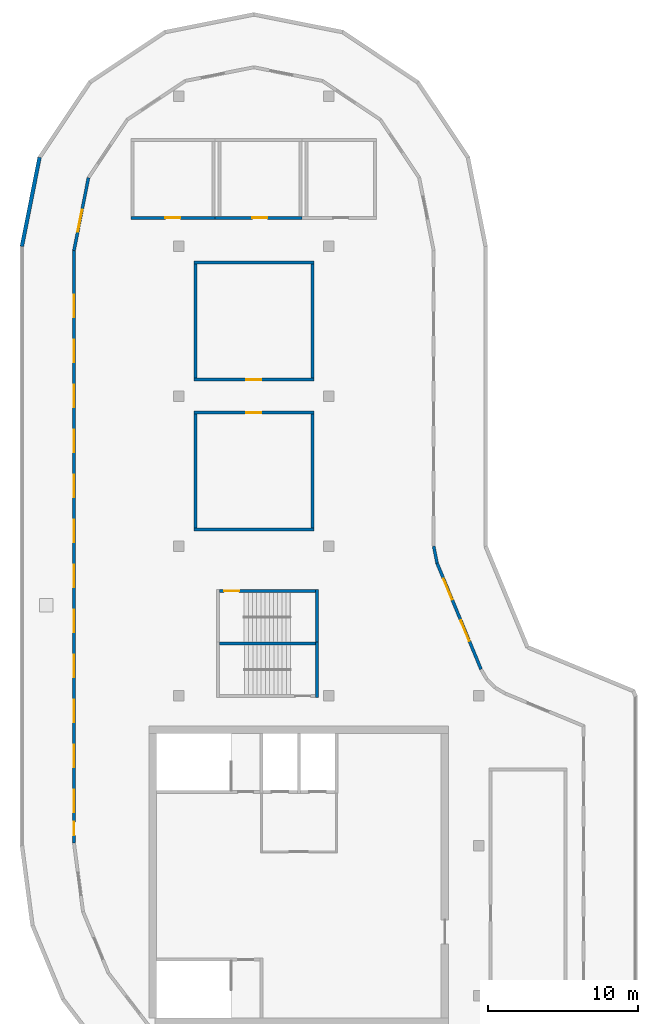
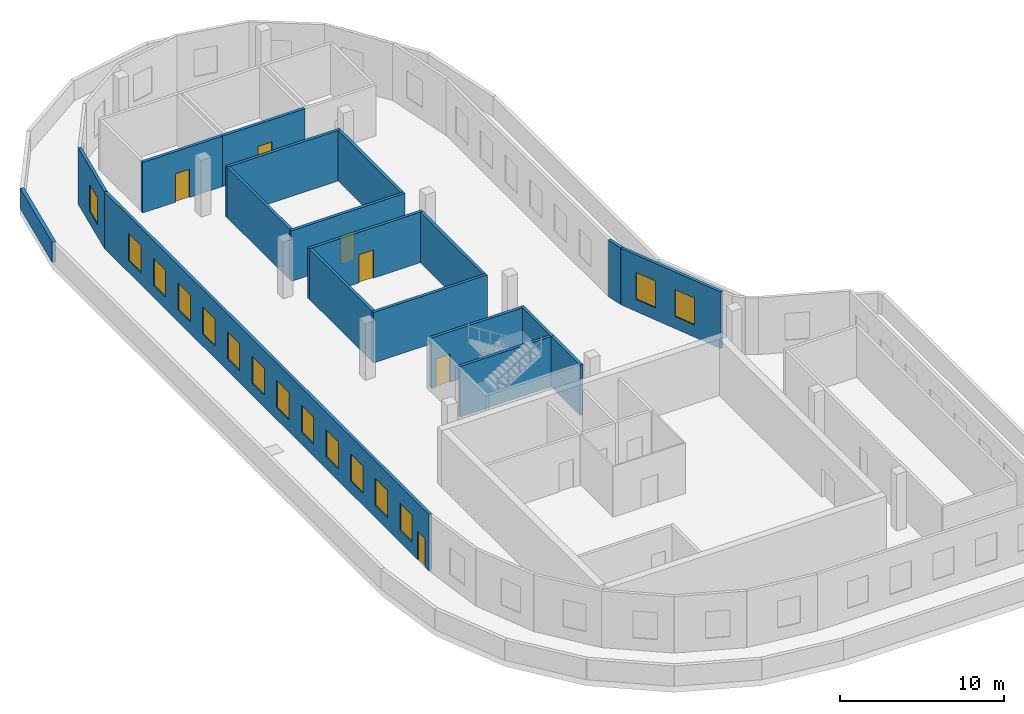
# One storey, part 3 of 6: 19 walls, 15 windows, 6 doors, 21 openings.
"""IFC4 building model written with IfcOpenShell, lengths in metres."""

import ifcopenshell
import ifcopenshell.guid

model = None  # the IFC model being written
_history = None  # IfcOwnerHistory: only IFC2X3 demands one
_inside = {}  # id of a spatial element -> (the spatial element, [elements in it])
_under = {}  # id of a project, library or spatial element -> (it, [spatial elements below it])
_declared = {}  # id of a project -> (the project, [libraries it declares])
_typed = {}  # id of a type object -> (the type object, [elements of that type])
_made_of = {}  # id of a material, layer set ... -> (it, [elements and type objects made of it])


def new_model(schema):
    """Start an empty IFC model of exactly this schema.

    Asked for "IFC4X3", IfcOpenShell would pick the latest addendum, in which some entities
    have other attributes; the version numbers below select the first issue.
    IFC2X3 requires an IfcOwnerHistory on every rooted entity: one is made here for all.
    """
    global model, _history
    if schema == "IFC4X3":
        model = ifcopenshell.file(schema_version=(4, 3, 0, 0))
    else:
        model = ifcopenshell.file(schema=schema)
    _inside.clear()
    _under.clear()
    _declared.clear()
    _typed.clear()
    _made_of.clear()
    _history = None
    if model.schema == "IFC2X3":
        org = make("IfcOrganization", Name="unknown")
        user = make(
            "IfcPersonAndOrganization",
            ThePerson=make("IfcPerson", FamilyName="unknown"),
            TheOrganization=org,
        )
        app = make(
            "IfcApplication",
            ApplicationDeveloper=org,
            Version="unknown",
            ApplicationFullName="unknown",
            ApplicationIdentifier="unknown",
        )
        _history = make(
            "IfcOwnerHistory",
            OwningUser=user,
            OwningApplication=app,
            ChangeAction="ADDED",
            CreationDate=0,
        )
    return model


def make(cls, **values):
    """One entity of the class cls with the attributes given. An attribute that is None is left unset."""
    return model.create_entity(
        cls, **{name: value for name, value in values.items() if value is not None}
    )


def rooted(cls, **values):
    """An entity with a GlobalId (a new one), such as an element, a storey or a relation."""
    return make(cls, GlobalId=ifcopenshell.guid.new(), OwnerHistory=_history, **values)


def si_unit(unit_type, name, prefix=None):
    """IfcSIUnit, for example si_unit("LENGTHUNIT", "METRE", prefix="MILLI")."""
    return make("IfcSIUnit", UnitType=unit_type, Prefix=prefix, Name=name)


def assignment(units):
    """IfcUnitAssignment: the units of a project."""
    return None if units is None else make("IfcUnitAssignment", Units=units)


def point(xyz):
    """IfcCartesianPoint."""
    return None if xyz is None else make("IfcCartesianPoint", Coordinates=xyz)


def direction(xyz):
    """IfcDirection."""
    return None if xyz is None else make("IfcDirection", DirectionRatios=xyz)


def frame(location, z_axis=None, x_axis=None):
    """IfcAxis2Placement3D, a coordinate frame: its origin and axes. An axis left out is left unset."""
    return make(
        "IfcAxis2Placement3D",
        Location=point(location),
        Axis=direction(z_axis),
        RefDirection=direction(x_axis),
    )


def frame_2d(location, x_axis=None):
    """IfcAxis2Placement2D, a coordinate frame in the plane: its origin and x axis."""
    return make(
        "IfcAxis2Placement2D", Location=point(location), RefDirection=direction(x_axis)
    )


def origin():
    """The frame at (0, 0, 0) with its axes left unset."""
    return frame((0.0, 0.0, 0.0))


def place(relative_to, where):
    """IfcLocalPlacement: puts the frame where relative to a parent placement (None: the world)."""
    return make(
        "IfcLocalPlacement", PlacementRelTo=relative_to, RelativePlacement=where
    )


def context(
    kind, dimensions, precision=None, world=None, true_north=None, identifier=None
):
    """IfcGeometricRepresentationContext, for example the 3D "Model" context."""
    return make(
        "IfcGeometricRepresentationContext",
        ContextIdentifier=identifier,
        ContextType=kind,
        CoordinateSpaceDimension=dimensions,
        Precision=precision,
        WorldCoordinateSystem=world,
        TrueNorth=true_north,
    )


def subcontext(parent, identifier, kind, view, scale=None):
    """IfcGeometricRepresentationSubContext, for example "Body" below "Model"."""
    return make(
        "IfcGeometricRepresentationSubContext",
        ContextIdentifier=identifier,
        ContextType=kind,
        ParentContext=parent,
        TargetScale=scale,
        TargetView=view,
    )


def project(units=None, contexts=None):
    """IfcProject with its units and contexts."""
    return rooted(
        "IfcProject",
        Name="project",
        RepresentationContexts=contexts,
        UnitsInContext=assignment(units),
    )


def spatial(cls, under=None, at=None, **own):
    """A site, building, storey or space (cls), placed at a placement, below another one or the project."""
    s = rooted(cls, ObjectPlacement=at, **own)
    if under is not None:
        _under.setdefault(under.id(), (under, []))[1].append(s)
    return s


def profile(cls, at=None, kind="AREA", **sizes):
    """A parametric profile (cls). Its sizes go by their IFC names, for example OverallWidth=200.0."""
    return make(cls, ProfileType=kind, Position=at, **sizes)


def rectangle(**sizes):
    """IfcRectangleProfileDef."""
    return profile("IfcRectangleProfileDef", **sizes)


def extrude(swept, where, along, depth):
    """IfcExtrudedAreaSolid: the profile swept, set in the frame where, extruded along a direction by depth."""
    return make(
        "IfcExtrudedAreaSolid",
        SweptArea=swept,
        Position=where,
        ExtrudedDirection=direction(along),
        Depth=depth,
    )


def shape(context_of_items, identifier, shape_type, items):
    """IfcShapeRepresentation: the items that make up one representation, for example the "Body"."""
    return make(
        "IfcShapeRepresentation",
        ContextOfItems=context_of_items,
        RepresentationIdentifier=identifier,
        RepresentationType=shape_type,
        Items=items,
    )


def material(Name=None, Category=None):
    """IfcMaterial."""
    return make("IfcMaterial", Name=Name, Category=Category)


def layer(
    of_material, thickness, ventilated=None, Name=None, Category=None, Priority=None
):
    """IfcMaterialLayer: one layer of a wall or slab, of a material (None: an air gap)."""
    return make(
        "IfcMaterialLayer",
        Material=of_material,
        LayerThickness=thickness,
        IsVentilated=ventilated,
        Name=Name,
        Category=Category,
        Priority=Priority,
    )


def layer_set(layers, Name=None):
    """IfcMaterialLayerSet."""
    return make("IfcMaterialLayerSet", MaterialLayers=layers, LayerSetName=Name)


def made_of(thing, what):
    """Note that an element or type object is made of a material, layer set ...; save() writes the relation."""
    if what is not None:
        _made_of.setdefault(what.id(), (what, []))[1].append(thing)
    return thing


def type_object(cls, material=None, **own):
    """A type object (cls), such as IfcWallType, which elements share."""
    return made_of(rooted(cls, **own), material)


def element(
    cls,
    number,
    at=None,
    inside=None,
    cuts=None,
    type_object=None,
    material=None,
    context=None,
    identifier="Body",
    shape_type=None,
    held_by="IfcProductDefinitionShape",
    body=None,
    shapes=None,
    **own,
):
    """One element of the class cls, such as IfcWall. Its Tag is "e" and its number.

    at: its placement. inside: the storey or other place that contains it. cuts: it is an
    opening in that element (IfcRelVoidsElement). A single representation is given by context,
    identifier, shape_type and body (its items); several are given by shapes. held_by: the class
    of the entity that holds the representations. save() writes the other relations.
    """
    e = rooted(cls, Tag="e%d" % number, ObjectPlacement=at, **own)
    if body is not None:
        shapes = [shape(context, identifier, shape_type, body)]
    if shapes is not None:
        e.Representation = make(held_by, Representations=shapes)
    if inside is not None:
        _inside.setdefault(inside.id(), (inside, []))[1].append(e)
    if cuts is not None:
        rooted(
            "IfcRelVoidsElement", RelatingBuildingElement=cuts, RelatedOpeningElement=e
        )
    if type_object is not None:
        _typed.setdefault(type_object.id(), (type_object, []))[1].append(e)
    return made_of(e, material)


def fill(opening, filler):
    """IfcRelFillsElement: the door or window that sits in an opening."""
    return rooted(
        "IfcRelFillsElement",
        RelatingOpeningElement=opening,
        RelatedBuildingElement=filler,
    )


def aggregate(whole, parts):
    """IfcRelAggregates: a whole, such as a stair, and the parts it consists of."""
    return rooted("IfcRelAggregates", RelatingObject=whole, RelatedObjects=parts)


def save(model, path):
    """Write the relations noted so far, then the file.

    IfcRelAggregates (storeys below a building ...), IfcRelContainedInSpatialStructure (elements
    in a storey), IfcRelDefinesByType, IfcRelAssociatesMaterial and IfcRelDeclares: one each for
    every whole, place, type object, material and project.
    """
    for whole, parts in _under.values():
        aggregate(whole, parts)
    for where, things in _inside.values():
        rooted(
            "IfcRelContainedInSpatialStructure",
            RelatedElements=things,
            RelatingStructure=where,
        )
    for kind, things in _typed.values():
        rooted("IfcRelDefinesByType", RelatedObjects=things, RelatingType=kind)
    for what, things in _made_of.values():
        rooted("IfcRelAssociatesMaterial", RelatedObjects=things, RelatingMaterial=what)
    for by, libraries in _declared.values():
        rooted("IfcRelDeclares", RelatingContext=by, RelatedDefinitions=libraries)
    model.write(path)


model = new_model("IFC4")

# Units and contexts
model_context = context("Model", 3, precision=1e-05, world=origin(), true_north=direction((0.0, 1.0)))
body_context = subcontext(model_context, "Body", "Model", "MODEL_VIEW")
ifc_project = project(units=[si_unit("LENGTHUNIT", "METRE"), si_unit("AREAUNIT", "SQUARE_METRE"), si_unit("VOLUMEUNIT", "CUBIC_METRE"), si_unit("PLANEANGLEUNIT", "RADIAN"), si_unit("MASSUNIT", "GRAM", prefix="KILO")], contexts=[model_context])

# Site, building, storey
site_placement = place(None, origin())
site = spatial("IfcSite", under=ifc_project, at=site_placement, CompositionType="ELEMENT")
building_placement = place(site_placement, origin())
building = spatial("IfcBuilding", under=site, at=building_placement, Name="Qaws Garden Tower", CompositionType="ELEMENT")
storey_placement = place(building_placement, frame((0.0, 0.0, 365.39990234375)))
storey = spatial("IfcBuildingStorey", under=building, at=storey_placement, Name="C1", CompositionType="ELEMENT", Elevation=365.39990234375)

# Walls
ifc_material_1 = material(Name="Concrete C60", Category="concrete")
ifc_layer_1 = layer(ifc_material_1, 0.199951171875)
ifc_layer_set_1 = layer_set([ifc_layer_1], Name="Concrete C60")
wall_type_1 = type_object("IfcWallType", Name="Core shaft wall 200 C60", PredefinedType="SHEAR", material=ifc_layer_set_1)
wall_1_placement = place(storey_placement, frame((12.699951171875, 33.5, 0.0), z_axis=(0.0, 0.0, 1.0), x_axis=(1.0, 0.0, 0.0)))
element("IfcWall", 1, at=wall_1_placement, inside=storey, type_object=wall_type_1, Name="Crown stair 1 wall", PredefinedType="SHEAR", context=body_context, shape_type="SweptSolid", body=[
    extrude(rectangle(XDim=6.400146484375, YDim=0.199951171875, at=frame_2d((3.2001953125, 0.0))), origin(), (0.0, 0.0, 1.0), 3.75),
])
wall_2_placement = place(storey_placement, frame((19.199951171875, 29.89990234375, 0.0), z_axis=(0.0, 0.0, 1.0), x_axis=(0.0, 1.0, 0.0)))
element("IfcWall", 2, at=wall_2_placement, inside=storey, type_object=wall_type_1, Name="Crown stair 1 wall", PredefinedType="SHEAR", context=body_context, shape_type="SweptSolid", body=[
    extrude(rectangle(XDim=3.7001953125, YDim=0.199951171875, at=frame_2d((1.85009765625, 0.0))), origin(), (0.0, 0.0, 1.0), 3.75),
])

# Wall, opening, door
wall_3_placement = place(storey_placement, frame((12.699951171875, 37.0, 0.0), z_axis=(0.0, 0.0, 1.0), x_axis=(1.0, 0.0, 0.0)))
wall_3 = element("IfcWall", 3, at=wall_3_placement, inside=storey, type_object=wall_type_1, Name="Crown stair 2 wall", PredefinedType="SHEAR", context=body_context, shape_type="SweptSolid", body=[
    extrude(rectangle(XDim=6.400146484375, YDim=0.199951171875, at=frame_2d((3.2001953125, 0.0))), origin(), (0.0, 0.0, 1.0), 3.75),
])
opening_1_placement = place(wall_3_placement, frame((0.324951171875, 0.0, 0.0)))
opening_1 = element("IfcOpeningElement", 4, at=opening_1_placement, cuts=wall_3, Name="Opening C1016", PredefinedType="OPENING", context=body_context, shape_type="SweptSolid", body=[
    extrude(rectangle(XDim=1.0, YDim=2.10009765625, at=frame_2d((0.5, 1.050048828125))), frame((0.0, 0.10986328125, 0.0), z_axis=(0.0, -1.0, 0.0), x_axis=(1.0, 0.0, 0.0)), (0.0, 0.0, 1.0), 0.219970703125),
])
ifc_material_2 = material(Name="Steel S235", Category="steel")
door_type_1 = type_object("IfcDoorType", Name="Stair door 1000x2100", OperationType="SINGLE_SWING_RIGHT", PredefinedType="DOOR", material=ifc_material_2)
door_1_placement = place(opening_1_placement, frame((1.0, 0.0, 0.0), z_axis=(0.0, 0.0, 1.0), x_axis=(-1.0, 0.0, 0.0)))
door_1 = element("IfcDoor", 5, at=door_1_placement, inside=storey, type_object=door_type_1, Name="Crown stair 2 door", OperationType="SINGLE_SWING_RIGHT", OverallHeight=2.10009765625, OverallWidth=1.0, PredefinedType="DOOR", context=body_context, shape_type="SweptSolid", body=[
    extrude(rectangle(XDim=1.0, YDim=2.10009765625, at=frame_2d((0.5, 1.050048828125))), frame((0.0, 0.02490234375, 0.0), z_axis=(0.0, -1.0, 0.0), x_axis=(1.0, 0.0, 0.0)), (0.0, 0.0, 1.0), 0.050048828125),
])
fill(opening_1, door_1)

# Walls
wall_4_placement = place(storey_placement, frame((19.199951171875, 33.39990234375, 0.0), z_axis=(0.0, 0.0, 1.0), x_axis=(0.0, 1.0, 0.0)))
element("IfcWall", 6, at=wall_4_placement, inside=storey, type_object=wall_type_1, Name="Crown stair 2 wall", PredefinedType="SHEAR", context=body_context, shape_type="SweptSolid", body=[
    extrude(rectangle(XDim=3.7001953125, YDim=0.199951171875, at=frame_2d((1.85009765625, 0.0))), origin(), (0.0, 0.0, 1.0), 3.75),
])
ifc_material_3 = material(Name="Brick masonry", Category="masonry")
ifc_layer_2 = layer(ifc_material_3, 0.25)
ifc_layer_set_2 = layer_set([ifc_layer_2], Name="Brick masonry")
wall_type_2 = type_object("IfcWallType", Name="Parapet 250", PredefinedType="PARAPET", material=ifc_layer_set_2)
wall_5_placement = place(storey_placement, frame((-0.47509765625, 59.98779296875, 0.0), z_axis=(0.0, 0.0, 1.0), x_axis=(0.195083828703, 0.980786571981, 0.0)))
element("IfcWall", 7, at=wall_5_placement, inside=storey, type_object=wall_type_2, Name="Maintenance terrace parapet C1", PredefinedType="PARAPET", context=body_context, shape_type="SweptSolid", body=[
    extrude(rectangle(XDim=6.049560546875, YDim=0.25, at=frame_2d((3.02490234375, 0.0))), origin(), (0.0, 0.0, 1.0), 1.5),
])
ifc_material_4 = material(Name="Blockwork", Category="masonry")
ifc_layer_3 = layer(ifc_material_4, 0.199951171875)
ifc_layer_set_3 = layer_set([ifc_layer_3], Name="Blockwork")
wall_type_3 = type_object("IfcWallType", Name="Plant room wall 200", PredefinedType="PARTITIONING", material=ifc_layer_set_3)
wall_6_placement = place(storey_placement, frame((11.0, 41.10009765625, 0.0), z_axis=(0.0, 0.0, 1.0), x_axis=(1.0, 0.0, 0.0)))
element("IfcWall", 8, at=wall_6_placement, inside=storey, type_object=wall_type_3, Name="Lift machine room wall", PredefinedType="PARTITIONING", context=body_context, shape_type="SweptSolid", body=[
    extrude(rectangle(XDim=8.0, YDim=0.199951171875, at=frame_2d((4.0, 0.0))), origin(), (0.0, 0.0, 1.0), 3.75),
])

# Wall, opening, door
wall_7_placement = place(storey_placement, frame((11.0, 48.89990234375, 0.0), z_axis=(0.0, 0.0, 1.0), x_axis=(1.0, 0.0, 0.0)))
wall_7 = element("IfcWall", 9, at=wall_7_placement, inside=storey, type_object=wall_type_3, Name="Lift machine room wall", PredefinedType="PARTITIONING", context=body_context, shape_type="SweptSolid", body=[
    extrude(rectangle(XDim=8.0, YDim=0.199951171875, at=frame_2d((4.0, 0.0))), origin(), (0.0, 0.0, 1.0), 3.75),
])
opening_2_placement = place(wall_7_placement, frame((3.5, 0.0, 0.0)))
opening_2 = element("IfcOpeningElement", 10, at=opening_2_placement, cuts=wall_7, Name="Opening PD12-01", PredefinedType="OPENING", context=body_context, shape_type="SweptSolid", body=[
    extrude(rectangle(XDim=1.0, YDim=2.10009765625, at=frame_2d((0.5, 1.050048828125))), frame((0.0, 0.10986328125, 0.0), z_axis=(0.0, -1.0, 0.0), x_axis=(1.0, 0.0, 0.0)), (0.0, 0.0, 1.0), 0.219970703125),
])
ifc_material_5 = material(Name="Steel S235 framed door leaf", Category="steel")
door_type_2 = type_object("IfcDoorType", Name="Door D12 fire single 1000", OperationType="SINGLE_SWING_LEFT", PredefinedType="DOOR", material=ifc_material_5)
door_2_placement = place(opening_2_placement, origin())
door_2 = element("IfcDoor", 11, at=door_2_placement, inside=storey, type_object=door_type_2, Name="Lift machine room door", OperationType="SINGLE_SWING_RIGHT", OverallHeight=2.10009765625, OverallWidth=1.0, PredefinedType="DOOR", context=body_context, shape_type="SweptSolid", body=[
    extrude(rectangle(XDim=1.0, YDim=2.10009765625, at=frame_2d((0.5, 1.050048828125))), frame((0.0, 0.02490234375, 0.0), z_axis=(0.0, -1.0, 0.0), x_axis=(1.0, 0.0, 0.0)), (0.0, 0.0, 1.0), 0.050048828125),
])
fill(opening_2, door_2)

# Walls
for number, where, z_axis, x_axis, name in (
    (12, (11.10009765625, 41.199951171875, 0.0), (0.0, 0.0, 1.0), (0.0, 1.0, 0.0), "Lift machine room wall"),
    (13, (18.89990234375, 41.199951171875, 0.0), (0.0, 0.0, 1.0), (0.0, 1.0, 0.0), "Lift machine room wall"),
):
    element("IfcWall", number, at=place(storey_placement, frame(where, z_axis=z_axis, x_axis=x_axis)), inside=storey, type_object=wall_type_3, Name=name, PredefinedType="PARTITIONING", context=body_context, shape_type="SweptSolid", body=[
        extrude(rectangle(XDim=7.60009765625, YDim=0.199951171875, at=frame_2d((3.800048828125, 0.0))), origin(), (0.0, 0.0, 1.0), 3.75),
    ])

# Wall, opening, door
wall_8_placement = place(storey_placement, frame((11.0, 51.10009765625, 0.0), z_axis=(0.0, 0.0, 1.0), x_axis=(1.0, 0.0, 0.0)))
wall_8 = element("IfcWall", 14, at=wall_8_placement, inside=storey, type_object=wall_type_3, Name="Building maintenance unit store wall", PredefinedType="PARTITIONING", context=body_context, shape_type="SweptSolid", body=[
    extrude(rectangle(XDim=8.0, YDim=0.199951171875, at=frame_2d((4.0, 0.0))), origin(), (0.0, 0.0, 1.0), 3.75),
])
opening_3_placement = place(wall_8_placement, frame((3.5, 0.0, 0.0)))
opening_3 = element("IfcOpeningElement", 15, at=opening_3_placement, cuts=wall_8, Name="Opening PD12-02", PredefinedType="OPENING", context=body_context, shape_type="SweptSolid", body=[
    extrude(rectangle(XDim=1.0, YDim=2.10009765625, at=frame_2d((0.5, 1.050048828125))), frame((0.0, 0.10986328125, 0.0), z_axis=(0.0, -1.0, 0.0), x_axis=(1.0, 0.0, 0.0)), (0.0, 0.0, 1.0), 0.219970703125),
])
door_3_placement = place(opening_3_placement, origin())
door_3 = element("IfcDoor", 16, at=door_3_placement, inside=storey, type_object=door_type_2, Name="Building maintenance unit store door", OperationType="SINGLE_SWING_RIGHT", OverallHeight=2.10009765625, OverallWidth=1.0, PredefinedType="DOOR", context=body_context, shape_type="SweptSolid", body=[
    extrude(rectangle(XDim=1.0, YDim=2.10009765625, at=frame_2d((0.5, 1.050048828125))), frame((0.0, 0.02490234375, 0.0), z_axis=(0.0, -1.0, 0.0), x_axis=(1.0, 0.0, 0.0)), (0.0, 0.0, 1.0), 0.050048828125),
])
fill(opening_3, door_3)

# Walls
wall_9_placement = place(storey_placement, frame((11.0, 58.89990234375, 0.0), z_axis=(0.0, 0.0, 1.0), x_axis=(1.0, 0.0, 0.0)))
element("IfcWall", 17, at=wall_9_placement, inside=storey, type_object=wall_type_3, Name="Building maintenance unit store wall", PredefinedType="PARTITIONING", context=body_context, shape_type="SweptSolid", body=[
    extrude(rectangle(XDim=8.0, YDim=0.199951171875, at=frame_2d((4.0, 0.0))), origin(), (0.0, 0.0, 1.0), 3.75),
])
for number, where, z_axis, x_axis, name in (
    (18, (11.10009765625, 51.199951171875, 0.0), (0.0, 0.0, 1.0), (0.0, 1.0, 0.0), "Building maintenance unit store wall"),
    (19, (18.89990234375, 51.199951171875, 0.0), (0.0, 0.0, 1.0), (0.0, 1.0, 0.0), "Building maintenance unit store wall"),
):
    element("IfcWall", number, at=place(storey_placement, frame(where, z_axis=z_axis, x_axis=x_axis)), inside=storey, type_object=wall_type_3, Name=name, PredefinedType="PARTITIONING", context=body_context, shape_type="SweptSolid", body=[
        extrude(rectangle(XDim=7.60009765625, YDim=0.199951171875, at=frame_2d((3.800048828125, 0.0))), origin(), (0.0, 0.0, 1.0), 3.75),
    ])

# Wall, opening, door
wall_10_placement = place(storey_placement, frame((6.800048828125, 61.89990234375, 0.0), z_axis=(0.0, 0.0, 1.0), x_axis=(1.0, 0.0, 0.0)))
wall_10 = element("IfcWall", 20, at=wall_10_placement, inside=storey, type_object=wall_type_3, Name="Chiller plant room wall", PredefinedType="PARTITIONING", context=body_context, shape_type="SweptSolid", body=[
    extrude(rectangle(XDim=5.599853515625, YDim=0.199951171875, at=frame_2d((2.7998046875, 0.0))), origin(), (0.0, 0.0, 1.0), 3.75),
])
opening_4_placement = place(wall_10_placement, frame((2.300048828125, 0.0, 0.0)))
opening_4 = element("IfcOpeningElement", 21, at=opening_4_placement, cuts=wall_10, Name="Opening PD12-03", PredefinedType="OPENING", context=body_context, shape_type="SweptSolid", body=[
    extrude(rectangle(XDim=1.0, YDim=2.10009765625, at=frame_2d((0.5, 1.050048828125))), frame((0.0, 0.10986328125, 0.0), z_axis=(0.0, -1.0, 0.0), x_axis=(1.0, 0.0, 0.0)), (0.0, 0.0, 1.0), 0.219970703125),
])
door_4_placement = place(opening_4_placement, origin())
door_4 = element("IfcDoor", 22, at=door_4_placement, inside=storey, type_object=door_type_2, Name="Chiller plant room door", OperationType="SINGLE_SWING_RIGHT", OverallHeight=2.10009765625, OverallWidth=1.0, PredefinedType="DOOR", context=body_context, shape_type="SweptSolid", body=[
    extrude(rectangle(XDim=1.0, YDim=2.10009765625, at=frame_2d((0.5, 1.050048828125))), frame((0.0, 0.02490234375, 0.0), z_axis=(0.0, -1.0, 0.0), x_axis=(1.0, 0.0, 0.0)), (0.0, 0.0, 1.0), 0.050048828125),
])
fill(opening_4, door_4)

wall_11_placement = place(storey_placement, frame((12.39990234375, 61.89990234375, 0.0), z_axis=(0.0, 0.0, 1.0), x_axis=(1.0, 0.0, 0.0)))
wall_11 = element("IfcWall", 23, at=wall_11_placement, inside=storey, type_object=wall_type_3, Name="Air handling plant room wall", PredefinedType="PARTITIONING", context=body_context, shape_type="SweptSolid", body=[
    extrude(rectangle(XDim=5.800048828125, YDim=0.199951171875, at=frame_2d((2.89990234375, 0.0))), origin(), (0.0, 0.0, 1.0), 3.75),
])
opening_5_placement = place(wall_11_placement, frame((2.5, 0.0, 0.0)))
opening_5 = element("IfcOpeningElement", 24, at=opening_5_placement, cuts=wall_11, Name="Opening PD12-04", PredefinedType="OPENING", context=body_context, shape_type="SweptSolid", body=[
    extrude(rectangle(XDim=1.0, YDim=2.10009765625, at=frame_2d((0.5, 1.050048828125))), frame((0.0, 0.10986328125, 0.0), z_axis=(0.0, -1.0, 0.0), x_axis=(1.0, 0.0, 0.0)), (0.0, 0.0, 1.0), 0.219970703125),
])
door_5_placement = place(opening_5_placement, origin())
door_5 = element("IfcDoor", 25, at=door_5_placement, inside=storey, type_object=door_type_2, Name="Air handling plant room door", OperationType="SINGLE_SWING_RIGHT", OverallHeight=2.10009765625, OverallWidth=1.0, PredefinedType="DOOR", context=body_context, shape_type="SweptSolid", body=[
    extrude(rectangle(XDim=1.0, YDim=2.10009765625, at=frame_2d((0.5, 1.050048828125))), frame((0.0, 0.02490234375, 0.0), z_axis=(0.0, -1.0, 0.0), x_axis=(1.0, 0.0, 0.0)), (0.0, 0.0, 1.0), 0.050048828125),
])
fill(opening_5, door_5)

# Wall, openings, windows, door
ifc_material_6 = material(Name="Brick masonry", Category="masonry")
ifc_layer_4 = layer(ifc_material_6, 0.199951171875)
ifc_layer_set_4 = layer_set([ifc_layer_4], Name="Brick masonry")
wall_type_4 = type_object("IfcWallType", Name="Plant screen louvre 200", PredefinedType="STANDARD", material=ifc_layer_set_4)
wall_12_placement = place(storey_placement, frame((3.0, 20.196533203125, 0.0), z_axis=(0.0, 0.0, 1.0), x_axis=(0.0, 1.0, 0.0)))
wall_12 = element("IfcWall", 26, at=wall_12_placement, inside=storey, type_object=wall_type_4, Name="Plant screen wall C1 7", PredefinedType="STANDARD", context=body_context, shape_type="SweptSolid", body=[
    extrude(rectangle(XDim=39.508056640625, YDim=0.199951171875, at=frame_2d((19.75390625, 0.0))), origin(), (0.0, 0.0, 1.0), 4.2001953125),
])
opening_6_placement = place(wall_12_placement, frame((2.053955078125, 0.0, 0.89990234375)))
opening_6 = element("IfcOpeningElement", 27, at=opening_6_placement, cuts=wall_12, Name="Opening PW-S4", PredefinedType="OPENING", context=body_context, shape_type="SweptSolid", body=[
    extrude(rectangle(XDim=1.5, YDim=2.0, at=frame_2d((0.75, 1.0))), frame((0.0, 0.10986328125, 0.0), z_axis=(0.0, -1.0, 0.0), x_axis=(1.0, 0.0, 0.0)), (0.0, 0.0, 1.0), 0.219970703125),
])
opening_7_placement = place(wall_12_placement, frame((5.053955078125, 0.0, 0.89990234375)))
opening_7 = element("IfcOpeningElement", 28, at=opening_7_placement, cuts=wall_12, Name="Opening PW-S4", PredefinedType="OPENING", context=body_context, shape_type="SweptSolid", body=[
    extrude(rectangle(XDim=1.5, YDim=2.0, at=frame_2d((0.75, 1.0))), frame((0.0, 0.10986328125, 0.0), z_axis=(0.0, -1.0, 0.0), x_axis=(1.0, 0.0, 0.0)), (0.0, 0.0, 1.0), 0.219970703125),
])
opening_8_placement = place(wall_12_placement, frame((8.053955078125, 0.0, 0.89990234375)))
opening_8 = element("IfcOpeningElement", 29, at=opening_8_placement, cuts=wall_12, Name="Opening PW-S4", PredefinedType="OPENING", context=body_context, shape_type="SweptSolid", body=[
    extrude(rectangle(XDim=1.5, YDim=2.0, at=frame_2d((0.75, 1.0))), frame((0.0, 0.10986328125, 0.0), z_axis=(0.0, -1.0, 0.0), x_axis=(1.0, 0.0, 0.0)), (0.0, 0.0, 1.0), 0.219970703125),
])
opening_9_placement = place(wall_12_placement, frame((11.053955078125, 0.0, 0.89990234375)))
opening_9 = element("IfcOpeningElement", 30, at=opening_9_placement, cuts=wall_12, Name="Opening PW-S4", PredefinedType="OPENING", context=body_context, shape_type="SweptSolid", body=[
    extrude(rectangle(XDim=1.5, YDim=2.0, at=frame_2d((0.75, 1.0))), frame((0.0, 0.10986328125, 0.0), z_axis=(0.0, -1.0, 0.0), x_axis=(1.0, 0.0, 0.0)), (0.0, 0.0, 1.0), 0.219970703125),
])
opening_10_placement = place(wall_12_placement, frame((14.053955078125, 0.0, 0.89990234375)))
opening_10 = element("IfcOpeningElement", 31, at=opening_10_placement, cuts=wall_12, Name="Opening PW-S4", PredefinedType="OPENING", context=body_context, shape_type="SweptSolid", body=[
    extrude(rectangle(XDim=1.5, YDim=2.0, at=frame_2d((0.75, 1.0))), frame((0.0, 0.10986328125, 0.0), z_axis=(0.0, -1.0, 0.0), x_axis=(1.0, 0.0, 0.0)), (0.0, 0.0, 1.0), 0.219970703125),
])
opening_11_placement = place(wall_12_placement, frame((17.053955078125, 0.0, 0.89990234375)))
opening_11 = element("IfcOpeningElement", 32, at=opening_11_placement, cuts=wall_12, Name="Opening PW-S4", PredefinedType="OPENING", context=body_context, shape_type="SweptSolid", body=[
    extrude(rectangle(XDim=1.5, YDim=2.0, at=frame_2d((0.75, 1.0))), frame((0.0, 0.10986328125, 0.0), z_axis=(0.0, -1.0, 0.0), x_axis=(1.0, 0.0, 0.0)), (0.0, 0.0, 1.0), 0.219970703125),
])
opening_12_placement = place(wall_12_placement, frame((20.053955078125, 0.0, 0.89990234375)))
opening_12 = element("IfcOpeningElement", 33, at=opening_12_placement, cuts=wall_12, Name="Opening PW-S4", PredefinedType="OPENING", context=body_context, shape_type="SweptSolid", body=[
    extrude(rectangle(XDim=1.5, YDim=2.0, at=frame_2d((0.75, 1.0))), frame((0.0, 0.10986328125, 0.0), z_axis=(0.0, -1.0, 0.0), x_axis=(1.0, 0.0, 0.0)), (0.0, 0.0, 1.0), 0.219970703125),
])
opening_13_placement = place(wall_12_placement, frame((23.053955078125, 0.0, 0.89990234375)))
opening_13 = element("IfcOpeningElement", 34, at=opening_13_placement, cuts=wall_12, Name="Opening PW-S4", PredefinedType="OPENING", context=body_context, shape_type="SweptSolid", body=[
    extrude(rectangle(XDim=1.5, YDim=2.0, at=frame_2d((0.75, 1.0))), frame((0.0, 0.10986328125, 0.0), z_axis=(0.0, -1.0, 0.0), x_axis=(1.0, 0.0, 0.0)), (0.0, 0.0, 1.0), 0.219970703125),
])
opening_14_placement = place(wall_12_placement, frame((26.053955078125, 0.0, 0.89990234375)))
opening_14 = element("IfcOpeningElement", 35, at=opening_14_placement, cuts=wall_12, Name="Opening PW-S4", PredefinedType="OPENING", context=body_context, shape_type="SweptSolid", body=[
    extrude(rectangle(XDim=1.5, YDim=2.0, at=frame_2d((0.75, 1.0))), frame((0.0, 0.10986328125, 0.0), z_axis=(0.0, -1.0, 0.0), x_axis=(1.0, 0.0, 0.0)), (0.0, 0.0, 1.0), 0.219970703125),
])
opening_15_placement = place(wall_12_placement, frame((29.053955078125, 0.0, 0.89990234375)))
opening_15 = element("IfcOpeningElement", 36, at=opening_15_placement, cuts=wall_12, Name="Opening PW-S4", PredefinedType="OPENING", context=body_context, shape_type="SweptSolid", body=[
    extrude(rectangle(XDim=1.5, YDim=2.0, at=frame_2d((0.75, 1.0))), frame((0.0, 0.10986328125, 0.0), z_axis=(0.0, -1.0, 0.0), x_axis=(1.0, 0.0, 0.0)), (0.0, 0.0, 1.0), 0.219970703125),
])
opening_16_placement = place(wall_12_placement, frame((32.053955078125, 0.0, 0.89990234375)))
opening_16 = element("IfcOpeningElement", 37, at=opening_16_placement, cuts=wall_12, Name="Opening PW-S4", PredefinedType="OPENING", context=body_context, shape_type="SweptSolid", body=[
    extrude(rectangle(XDim=1.5, YDim=2.0, at=frame_2d((0.75, 1.0))), frame((0.0, 0.10986328125, 0.0), z_axis=(0.0, -1.0, 0.0), x_axis=(1.0, 0.0, 0.0)), (0.0, 0.0, 1.0), 0.219970703125),
])
opening_17_placement = place(wall_12_placement, frame((35.053955078125, 0.0, 0.89990234375)))
opening_17 = element("IfcOpeningElement", 38, at=opening_17_placement, cuts=wall_12, Name="Opening PW-S4", PredefinedType="OPENING", context=body_context, shape_type="SweptSolid", body=[
    extrude(rectangle(XDim=1.5, YDim=2.0, at=frame_2d((0.75, 1.0))), frame((0.0, 0.10986328125, 0.0), z_axis=(0.0, -1.0, 0.0), x_axis=(1.0, 0.0, 0.0)), (0.0, 0.0, 1.0), 0.219970703125),
])
opening_18_placement = place(wall_12_placement, frame((0.5, 0.0, 0.0)))
opening_18 = element("IfcOpeningElement", 39, at=opening_18_placement, cuts=wall_12, Name="Opening PD9-01", PredefinedType="OPENING", context=body_context, shape_type="SweptSolid", body=[
    extrude(rectangle(XDim=0.89990234375, YDim=2.10009765625, at=frame_2d((0.449951171875, 1.050048828125))), frame((0.0, 0.10986328125, 0.0), z_axis=(0.0, -1.0, 0.0), x_axis=(1.0, 0.0, 0.0)), (0.0, 0.0, 1.0), 0.219970703125),
])
ifc_material_7 = material(Name="Aluminium louvre", Category="aluminium")
window_type = type_object("IfcWindowType", Name="Plant louvre 1500", PartitioningType="SINGLE_PANEL", PredefinedType="WINDOW", material=ifc_material_7)
window_1_placement = place(opening_6_placement, origin())
window_1 = element("IfcWindow", 40, at=window_1_placement, inside=storey, type_object=window_type, Name="Plant louvre", OverallHeight=2.0, OverallWidth=1.5, PartitioningType="SINGLE_PANEL", PredefinedType="WINDOW", context=body_context, shape_type="SweptSolid", body=[
    extrude(rectangle(XDim=1.5, YDim=2.0, at=frame_2d((0.75, 1.0))), frame((0.0, 0.030029296875, 0.0), z_axis=(0.0, -1.0, 0.0), x_axis=(1.0, 0.0, 0.0)), (0.0, 0.0, 1.0), 0.06005859375),
])
fill(opening_6, window_1)
window_2_placement = place(opening_7_placement, origin())
window_2 = element("IfcWindow", 41, at=window_2_placement, inside=storey, type_object=window_type, Name="Plant louvre", OverallHeight=2.0, OverallWidth=1.5, PartitioningType="SINGLE_PANEL", PredefinedType="WINDOW", context=body_context, shape_type="SweptSolid", body=[
    extrude(rectangle(XDim=1.5, YDim=2.0, at=frame_2d((0.75, 1.0))), frame((0.0, 0.030029296875, 0.0), z_axis=(0.0, -1.0, 0.0), x_axis=(1.0, 0.0, 0.0)), (0.0, 0.0, 1.0), 0.06005859375),
])
fill(opening_7, window_2)
window_3_placement = place(opening_8_placement, origin())
window_3 = element("IfcWindow", 42, at=window_3_placement, inside=storey, type_object=window_type, Name="Plant louvre", OverallHeight=2.0, OverallWidth=1.5, PartitioningType="SINGLE_PANEL", PredefinedType="WINDOW", context=body_context, shape_type="SweptSolid", body=[
    extrude(rectangle(XDim=1.5, YDim=2.0, at=frame_2d((0.75, 1.0))), frame((0.0, 0.030029296875, 0.0), z_axis=(0.0, -1.0, 0.0), x_axis=(1.0, 0.0, 0.0)), (0.0, 0.0, 1.0), 0.06005859375),
])
fill(opening_8, window_3)
window_4_placement = place(opening_9_placement, origin())
window_4 = element("IfcWindow", 43, at=window_4_placement, inside=storey, type_object=window_type, Name="Plant louvre", OverallHeight=2.0, OverallWidth=1.5, PartitioningType="SINGLE_PANEL", PredefinedType="WINDOW", context=body_context, shape_type="SweptSolid", body=[
    extrude(rectangle(XDim=1.5, YDim=2.0, at=frame_2d((0.75, 1.0))), frame((0.0, 0.030029296875, 0.0), z_axis=(0.0, -1.0, 0.0), x_axis=(1.0, 0.0, 0.0)), (0.0, 0.0, 1.0), 0.06005859375),
])
fill(opening_9, window_4)
window_5_placement = place(opening_10_placement, origin())
window_5 = element("IfcWindow", 44, at=window_5_placement, inside=storey, type_object=window_type, Name="Plant louvre", OverallHeight=2.0, OverallWidth=1.5, PartitioningType="SINGLE_PANEL", PredefinedType="WINDOW", context=body_context, shape_type="SweptSolid", body=[
    extrude(rectangle(XDim=1.5, YDim=2.0, at=frame_2d((0.75, 1.0))), frame((0.0, 0.030029296875, 0.0), z_axis=(0.0, -1.0, 0.0), x_axis=(1.0, 0.0, 0.0)), (0.0, 0.0, 1.0), 0.06005859375),
])
fill(opening_10, window_5)
window_6_placement = place(opening_11_placement, origin())
window_6 = element("IfcWindow", 45, at=window_6_placement, inside=storey, type_object=window_type, Name="Plant louvre", OverallHeight=2.0, OverallWidth=1.5, PartitioningType="SINGLE_PANEL", PredefinedType="WINDOW", context=body_context, shape_type="SweptSolid", body=[
    extrude(rectangle(XDim=1.5, YDim=2.0, at=frame_2d((0.75, 1.0))), frame((0.0, 0.030029296875, 0.0), z_axis=(0.0, -1.0, 0.0), x_axis=(1.0, 0.0, 0.0)), (0.0, 0.0, 1.0), 0.06005859375),
])
fill(opening_11, window_6)
window_7_placement = place(opening_12_placement, origin())
window_7 = element("IfcWindow", 46, at=window_7_placement, inside=storey, type_object=window_type, Name="Plant louvre", OverallHeight=2.0, OverallWidth=1.5, PartitioningType="SINGLE_PANEL", PredefinedType="WINDOW", context=body_context, shape_type="SweptSolid", body=[
    extrude(rectangle(XDim=1.5, YDim=2.0, at=frame_2d((0.75, 1.0))), frame((0.0, 0.030029296875, 0.0), z_axis=(0.0, -1.0, 0.0), x_axis=(1.0, 0.0, 0.0)), (0.0, 0.0, 1.0), 0.06005859375),
])
fill(opening_12, window_7)
window_8_placement = place(opening_13_placement, origin())
window_8 = element("IfcWindow", 47, at=window_8_placement, inside=storey, type_object=window_type, Name="Plant louvre", OverallHeight=2.0, OverallWidth=1.5, PartitioningType="SINGLE_PANEL", PredefinedType="WINDOW", context=body_context, shape_type="SweptSolid", body=[
    extrude(rectangle(XDim=1.5, YDim=2.0, at=frame_2d((0.75, 1.0))), frame((0.0, 0.030029296875, 0.0), z_axis=(0.0, -1.0, 0.0), x_axis=(1.0, 0.0, 0.0)), (0.0, 0.0, 1.0), 0.06005859375),
])
fill(opening_13, window_8)
window_9_placement = place(opening_14_placement, origin())
window_9 = element("IfcWindow", 48, at=window_9_placement, inside=storey, type_object=window_type, Name="Plant louvre", OverallHeight=2.0, OverallWidth=1.5, PartitioningType="SINGLE_PANEL", PredefinedType="WINDOW", context=body_context, shape_type="SweptSolid", body=[
    extrude(rectangle(XDim=1.5, YDim=2.0, at=frame_2d((0.75, 1.0))), frame((0.0, 0.030029296875, 0.0), z_axis=(0.0, -1.0, 0.0), x_axis=(1.0, 0.0, 0.0)), (0.0, 0.0, 1.0), 0.06005859375),
])
fill(opening_14, window_9)
window_10_placement = place(opening_15_placement, origin())
window_10 = element("IfcWindow", 49, at=window_10_placement, inside=storey, type_object=window_type, Name="Plant louvre", OverallHeight=2.0, OverallWidth=1.5, PartitioningType="SINGLE_PANEL", PredefinedType="WINDOW", context=body_context, shape_type="SweptSolid", body=[
    extrude(rectangle(XDim=1.5, YDim=2.0, at=frame_2d((0.75, 1.0))), frame((0.0, 0.030029296875, 0.0), z_axis=(0.0, -1.0, 0.0), x_axis=(1.0, 0.0, 0.0)), (0.0, 0.0, 1.0), 0.06005859375),
])
fill(opening_15, window_10)
window_11_placement = place(opening_16_placement, origin())
window_11 = element("IfcWindow", 50, at=window_11_placement, inside=storey, type_object=window_type, Name="Plant louvre", OverallHeight=2.0, OverallWidth=1.5, PartitioningType="SINGLE_PANEL", PredefinedType="WINDOW", context=body_context, shape_type="SweptSolid", body=[
    extrude(rectangle(XDim=1.5, YDim=2.0, at=frame_2d((0.75, 1.0))), frame((0.0, 0.030029296875, 0.0), z_axis=(0.0, -1.0, 0.0), x_axis=(1.0, 0.0, 0.0)), (0.0, 0.0, 1.0), 0.06005859375),
])
fill(opening_16, window_11)
window_12_placement = place(opening_17_placement, origin())
window_12 = element("IfcWindow", 51, at=window_12_placement, inside=storey, type_object=window_type, Name="Plant louvre", OverallHeight=2.0, OverallWidth=1.5, PartitioningType="SINGLE_PANEL", PredefinedType="WINDOW", context=body_context, shape_type="SweptSolid", body=[
    extrude(rectangle(XDim=1.5, YDim=2.0, at=frame_2d((0.75, 1.0))), frame((0.0, 0.030029296875, 0.0), z_axis=(0.0, -1.0, 0.0), x_axis=(1.0, 0.0, 0.0)), (0.0, 0.0, 1.0), 0.06005859375),
])
fill(opening_17, window_12)
ifc_material_8 = material(Name="Steel S235 louvred door leaf", Category="steel")
door_type_3 = type_object("IfcDoorType", Name="Roof access door 900", OperationType="SINGLE_SWING_LEFT", PredefinedType="DOOR", material=ifc_material_8)
door_6_placement = place(opening_18_placement, origin())
door_6 = element("IfcDoor", 52, at=door_6_placement, inside=storey, type_object=door_type_3, Name="Plant service door to the maintenance terrace", OperationType="SINGLE_SWING_RIGHT", OverallHeight=2.10009765625, OverallWidth=0.89990234375, PredefinedType="DOOR", context=body_context, shape_type="SweptSolid", body=[
    extrude(rectangle(XDim=0.89990234375, YDim=2.10009765625, at=frame_2d((0.449951171875, 1.050048828125))), frame((0.0, 0.02490234375, 0.0), z_axis=(0.0, -1.0, 0.0), x_axis=(1.0, 0.0, 0.0)), (0.0, 0.0, 1.0), 0.050048828125),
])
fill(opening_18, door_6)

# Wall, opening, window
wall_13_placement = place(storey_placement, frame((3.0, 59.70458984375, 0.0), z_axis=(0.0, 0.0, 1.0), x_axis=(0.195103259406, 0.980782706908, 0.0)))
wall_13 = element("IfcWall", 53, at=wall_13_placement, inside=storey, type_object=wall_type_4, Name="Plant screen wall C1 8", PredefinedType="STANDARD", context=body_context, shape_type="SweptSolid", body=[
    extrude(rectangle(XDim=4.960205078125, YDim=0.199951171875, at=frame_2d((2.47998046875, 0.0))), origin(), (0.0, 0.0, 1.0), 4.2001953125),
])
opening_19_placement = place(wall_13_placement, frame((1.2802734375, 0.0, 0.89990234375)))
opening_19 = element("IfcOpeningElement", 54, at=opening_19_placement, cuts=wall_13, Name="Opening PW-S4", PredefinedType="OPENING", context=body_context, shape_type="SweptSolid", body=[
    extrude(rectangle(XDim=1.5, YDim=2.0, at=frame_2d((0.75, 1.0))), frame((0.0, 0.10986328125, 0.0), z_axis=(0.0, -1.0, 0.0), x_axis=(1.0, 0.0, 0.0)), (0.0, 0.0, 1.0), 0.219970703125),
])
window_13_placement = place(opening_19_placement, origin())
window_13 = element("IfcWindow", 55, at=window_13_placement, inside=storey, type_object=window_type, Name="Plant louvre", OverallHeight=2.0, OverallWidth=1.5, PartitioningType="SINGLE_PANEL", PredefinedType="WINDOW", context=body_context, shape_type="SweptSolid", body=[
    extrude(rectangle(XDim=1.5, YDim=2.0, at=frame_2d((0.75, 1.0))), frame((0.0, 0.030029296875, 0.0), z_axis=(0.0, -1.0, 0.0), x_axis=(1.0, 0.0, 0.0)), (0.0, 0.0, 1.0), 0.06005859375),
])
fill(opening_19, window_13)

# Wall
wall_14_placement = place(storey_placement, frame((27.0, 39.990234375, 0.0), z_axis=(0.0, 0.0, 1.0), x_axis=(0.195096503096, -0.98078405089, 0.0)))
element("IfcWall", 56, at=wall_14_placement, inside=storey, type_object=wall_type_4, Name="Plant screen wall C1 17", PredefinedType="STANDARD", context=body_context, shape_type="SweptSolid", body=[
    extrude(rectangle(XDim=1.1513671875, YDim=0.199951171875, at=frame_2d((0.57568359375, 0.0))), origin(), (0.0, 0.0, 1.0), 4.2001953125),
])

# Wall, openings, windows
wall_15_placement = place(storey_placement, frame((27.224609375, 38.861083984375, 0.0), z_axis=(0.0, 0.0, 1.0), x_axis=(0.382695695054, -0.923874453044, 0.0)))
wall_15 = element("IfcWall", 57, at=wall_15_placement, inside=storey, type_object=wall_type_4, Name="Plant screen wall C1 18", PredefinedType="STANDARD", context=body_context, shape_type="SweptSolid", body=[
    extrude(rectangle(XDim=7.670166015625, YDim=0.199951171875, at=frame_2d((3.8349609375, 0.0))), origin(), (0.0, 0.0, 1.0), 4.2001953125),
])
opening_20_placement = place(wall_15_placement, frame((1.135009765625, 0.0, 0.89990234375)))
opening_20 = element("IfcOpeningElement", 58, at=opening_20_placement, cuts=wall_15, Name="Opening PW-S4", PredefinedType="OPENING", context=body_context, shape_type="SweptSolid", body=[
    extrude(rectangle(XDim=1.5, YDim=2.0, at=frame_2d((0.75, 1.0))), frame((0.0, 0.10986328125, 0.0), z_axis=(0.0, -1.0, 0.0), x_axis=(1.0, 0.0, 0.0)), (0.0, 0.0, 1.0), 0.219970703125),
])
opening_21_placement = place(wall_15_placement, frame((4.135009765625, 0.0, 0.89990234375)))
opening_21 = element("IfcOpeningElement", 59, at=opening_21_placement, cuts=wall_15, Name="Opening PW-S4", PredefinedType="OPENING", context=body_context, shape_type="SweptSolid", body=[
    extrude(rectangle(XDim=1.5, YDim=2.0, at=frame_2d((0.75, 1.0))), frame((0.0, 0.10986328125, 0.0), z_axis=(0.0, -1.0, 0.0), x_axis=(1.0, 0.0, 0.0)), (0.0, 0.0, 1.0), 0.219970703125),
])
window_14_placement = place(opening_20_placement, origin())
window_14 = element("IfcWindow", 60, at=window_14_placement, inside=storey, type_object=window_type, Name="Plant louvre", OverallHeight=2.0, OverallWidth=1.5, PartitioningType="SINGLE_PANEL", PredefinedType="WINDOW", context=body_context, shape_type="SweptSolid", body=[
    extrude(rectangle(XDim=1.5, YDim=2.0, at=frame_2d((0.75, 1.0))), frame((0.0, 0.030029296875, 0.0), z_axis=(0.0, -1.0, 0.0), x_axis=(1.0, 0.0, 0.0)), (0.0, 0.0, 1.0), 0.06005859375),
])
fill(opening_20, window_14)
window_15_placement = place(opening_21_placement, origin())
window_15 = element("IfcWindow", 61, at=window_15_placement, inside=storey, type_object=window_type, Name="Plant louvre", OverallHeight=2.0, OverallWidth=1.5, PartitioningType="SINGLE_PANEL", PredefinedType="WINDOW", context=body_context, shape_type="SweptSolid", body=[
    extrude(rectangle(XDim=1.5, YDim=2.0, at=frame_2d((0.75, 1.0))), frame((0.0, 0.030029296875, 0.0), z_axis=(0.0, -1.0, 0.0), x_axis=(1.0, 0.0, 0.0)), (0.0, 0.0, 1.0), 0.06005859375),
])
fill(opening_21, window_15)

save(model, "model.ifc")
